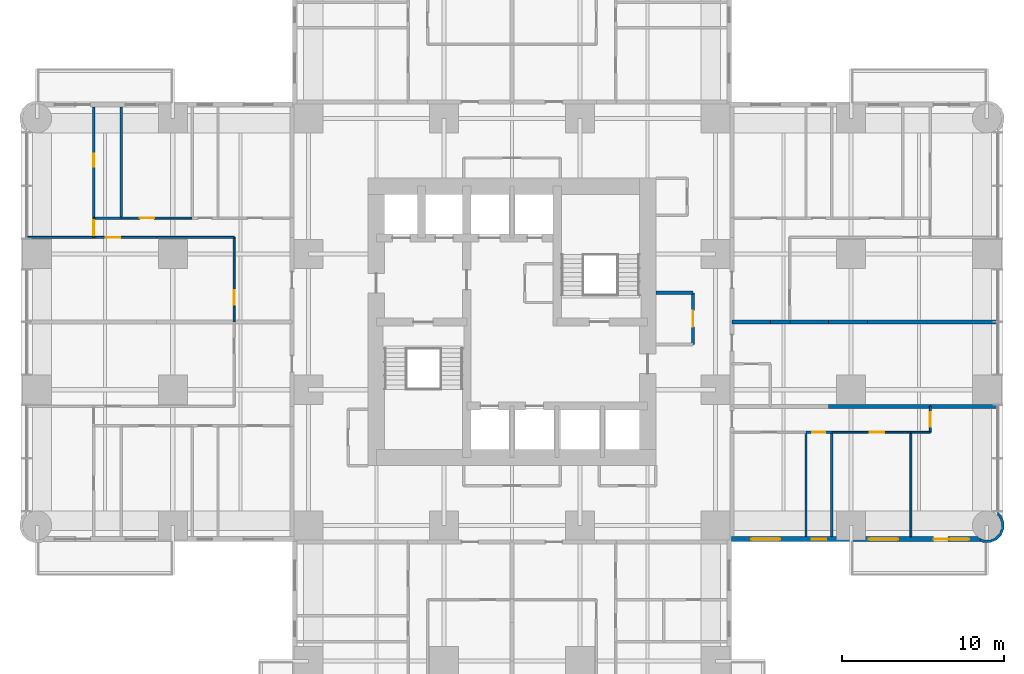
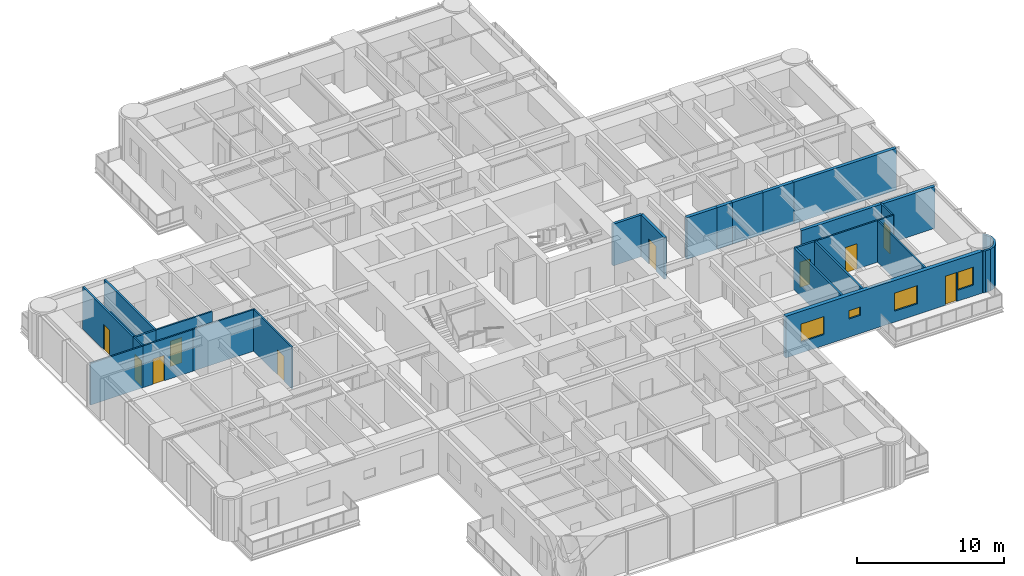
# One storey, part 11 of 17: 27 walls, 10 doors, 4 windows, 14 openings.
"""IFC4 building model written with IfcOpenShell, lengths in metres."""

from ifc_helpers import new_model, si_unit, direction, frame, frame_2d, origin, place, context, subcontext, project, spatial, polyline, rectangle, outline, extrude, material, layer, layer_set, type_object, element, fill, save


model = new_model("IFC4")

# Units and contexts
model_context = context("Model", 3, precision=1e-05, world=origin(), true_north=direction((0.0, 1.0)))
body_context = subcontext(model_context, "Body", "Model", "MODEL_VIEW")
ifc_project = project(units=[si_unit("LENGTHUNIT", "METRE"), si_unit("AREAUNIT", "SQUARE_METRE"), si_unit("VOLUMEUNIT", "CUBIC_METRE"), si_unit("PLANEANGLEUNIT", "RADIAN"), si_unit("MASSUNIT", "GRAM", prefix="KILO")], contexts=[model_context])

# Site, building, storey
site_placement = place(None, origin())
site = spatial("IfcSite", under=ifc_project, at=site_placement, CompositionType="ELEMENT")
building_placement = place(site_placement, origin())
building = spatial("IfcBuilding", under=site, at=building_placement, Name="Torre Alcanfor", CompositionType="ELEMENT")
storey_placement = place(building_placement, frame((0.0, 0.0, 59.699951171875)))
storey = spatial("IfcBuildingStorey", under=building, at=storey_placement, Name="L14", CompositionType="ELEMENT", Elevation=59.699951171875)

# Wall, opening, door
ifc_material_1 = material(Name="Gypsum board on steel studs", Category="steel")
ifc_layer_1 = layer(ifc_material_1, 0.1201171875)
ifc_layer_set_1 = layer_set([ifc_layer_1], Name="Apartment partition 120")
wall_type_1 = type_object("IfcWallType", Name="Apartment partition 120", PredefinedType="PARTITIONING", material=ifc_layer_set_1)
wall_1_placement = place(storey_placement, frame((54.10009765625, 22.571044921875, 0.0), z_axis=(0.0, 0.0, 1.0), x_axis=(-1.0, 0.0, 0.0)))
wall_1 = element("IfcWall", 1, at=wall_1_placement, inside=storey, type_object=wall_type_1, Name="Partition L14-E2B-HALL / L14-E2B-MASTER", PredefinedType="PARTITIONING", context=body_context, shape_type="SweptSolid", body=[
    extrude(rectangle(XDim=4.900146484375, YDim=0.1201171875, at=frame_2d((2.4501953125, 0.0))), origin(), (0.0, 0.0, 1.0), 3.449951171875),
])
opening_1_placement = place(wall_1_placement, frame((1.64990234375, 0.0, 0.0)))
opening_1 = element("IfcOpeningElement", 2, at=opening_1_placement, cuts=wall_1, Name="Opening D-R1", PredefinedType="OPENING", context=body_context, shape_type="SweptSolid", body=[
    extrude(rectangle(XDim=0.89990234375, YDim=2.10009765625, at=frame_2d((0.449951171875, 1.050048828125))), frame((0.0, 0.070068359375, 0.0), z_axis=(0.0, -1.0, 0.0), x_axis=(1.0, 0.0, 0.0)), (0.0, 0.0, 1.0), 0.14013671875),
])
ifc_material_2 = material(Name="Timber", Category="wood")
door_type_1 = type_object("IfcDoorType", Name="Internal door 900x2100", OperationType="SINGLE_SWING_LEFT", PredefinedType="DOOR", material=ifc_material_2)
door_1_placement = place(opening_1_placement, origin())
door_1 = element("IfcDoor", 3, at=door_1_placement, inside=storey, type_object=door_type_1, Name="Door L14-E2B master", OperationType="SINGLE_SWING_LEFT", OverallHeight=2.10009765625, OverallWidth=0.89990234375, PredefinedType="DOOR", context=body_context, shape_type="SweptSolid", body=[
    extrude(rectangle(XDim=0.89990234375, YDim=2.10009765625, at=frame_2d((0.449951171875, 1.050048828125))), frame((0.0, 0.02490234375, 0.0), z_axis=(0.0, -1.0, 0.0), x_axis=(1.0, 0.0, 0.0)), (0.0, 0.0, 1.0), 0.050048828125),
])
fill(opening_1, door_1)

# Wall
wall_2_placement = place(storey_placement, frame((55.300048828125, 22.571044921875, 0.0), z_axis=(0.0, 0.0, 1.0), x_axis=(-1.0, 0.0, 0.0)))
element("IfcWall", 4, at=wall_2_placement, inside=storey, type_object=wall_type_1, Name="Partition L14-E2B-HALL / L14-E2B-KITCHEN", PredefinedType="PARTITIONING", context=body_context, shape_type="SweptSolid", body=[
    extrude(rectangle(XDim=1.199951171875, YDim=0.1201171875, at=frame_2d((0.60009765625, 0.0))), origin(), (0.0, 0.0, 1.0), 3.449951171875),
])

# Wall, opening, door
wall_3_placement = place(storey_placement, frame((55.300048828125, 24.1708984375, 0.0), z_axis=(0.0, 0.0, 1.0), x_axis=(0.0, -1.0, 0.0)))
wall_3 = element("IfcWall", 5, at=wall_3_placement, inside=storey, type_object=wall_type_1, Name="Partition L14-E2B-HALL / L14-E2B-LIVING", PredefinedType="PARTITIONING", context=body_context, shape_type="SweptSolid", body=[
    extrude(rectangle(XDim=1.599853515625, YDim=0.1201171875, at=frame_2d((0.7998046875, 0.0))), origin(), (0.0, 0.0, 1.0), 3.449951171875),
])
opening_2_placement = place(wall_3_placement, frame((0.35009765625, 0.0, 0.0)))
opening_2 = element("IfcOpeningElement", 6, at=opening_2_placement, cuts=wall_3, Name="Opening D-R1", PredefinedType="OPENING", context=body_context, shape_type="SweptSolid", body=[
    extrude(rectangle(XDim=0.89990234375, YDim=2.10009765625, at=frame_2d((0.449951171875, 1.050048828125))), frame((0.0, 0.070068359375, 0.0), z_axis=(0.0, -1.0, 0.0), x_axis=(1.0, 0.0, 0.0)), (0.0, 0.0, 1.0), 0.14013671875),
])
door_2_placement = place(opening_2_placement, origin())
door_2 = element("IfcDoor", 7, at=door_2_placement, inside=storey, type_object=door_type_1, Name="Door L14-E2B living", OperationType="SINGLE_SWING_LEFT", OverallHeight=2.10009765625, OverallWidth=0.89990234375, PredefinedType="DOOR", context=body_context, shape_type="SweptSolid", body=[
    extrude(rectangle(XDim=0.89990234375, YDim=2.10009765625, at=frame_2d((0.449951171875, 1.050048828125))), frame((0.0, 0.02490234375, 0.0), z_axis=(0.0, -1.0, 0.0), x_axis=(1.0, 0.0, 0.0)), (0.0, 0.0, 1.0), 0.050048828125),
])
fill(opening_2, door_2)

# Wall
wall_4_placement = place(storey_placement, frame((54.10009765625, 22.571044921875, 0.0), z_axis=(0.0, 0.0, 1.0), x_axis=(0.0, -1.0, 0.0)))
element("IfcWall", 8, at=wall_4_placement, inside=storey, type_object=wall_type_1, Name="Partition L14-E2B-MASTER / L14-E2B-KITCHEN", PredefinedType="PARTITIONING", context=body_context, shape_type="SweptSolid", body=[
    extrude(rectangle(XDim=6.470947265625, YDim=0.1201171875, at=frame_2d((3.2353515625, 0.0))), origin(), (0.0, 0.0, 1.0), 3.449951171875),
])

# Wall, opening, door
wall_5_placement = place(storey_placement, frame((12.199951171875, 29.39990234375, 0.0), z_axis=(0.0, 0.0, 1.0), x_axis=(0.0, 1.0, 0.0)))
wall_5 = element("IfcWall", 9, at=wall_5_placement, inside=storey, type_object=wall_type_1, Name="Partition L14-W2-ZAG / L14-W2-KITCHEN", PredefinedType="PARTITIONING", context=body_context, shape_type="SweptSolid", body=[
    extrude(rectangle(XDim=5.22900390625, YDim=0.1201171875, at=frame_2d((2.614501953125, 0.0))), origin(), (0.0, 0.0, 1.0), 3.449951171875),
])
opening_3_placement = place(wall_5_placement, frame((1.050048828125, 0.0, 0.0)))
opening_3 = element("IfcOpeningElement", 10, at=opening_3_placement, cuts=wall_5, Name="Opening D-R1", PredefinedType="OPENING", context=body_context, shape_type="SweptSolid", body=[
    extrude(rectangle(XDim=0.89990234375, YDim=2.10009765625, at=frame_2d((0.449951171875, 1.050048828125))), frame((0.0, 0.070068359375, 0.0), z_axis=(0.0, -1.0, 0.0), x_axis=(1.0, 0.0, 0.0)), (0.0, 0.0, 1.0), 0.14013671875),
])
door_3_placement = place(opening_3_placement, origin())
door_3 = element("IfcDoor", 11, at=door_3_placement, inside=storey, type_object=door_type_1, Name="Door L14-W2 kitchen", OperationType="SINGLE_SWING_LEFT", OverallHeight=2.10009765625, OverallWidth=0.89990234375, PredefinedType="DOOR", context=body_context, shape_type="SweptSolid", body=[
    extrude(rectangle(XDim=0.89990234375, YDim=2.10009765625, at=frame_2d((0.449951171875, 1.050048828125))), frame((0.0, 0.02490234375, 0.0), z_axis=(0.0, -1.0, 0.0), x_axis=(1.0, 0.0, 0.0)), (0.0, 0.0, 1.0), 0.050048828125),
])
fill(opening_3, door_3)

# Wall
wall_6_placement = place(storey_placement, frame((7.39990234375, 34.62890625, 0.0), z_axis=(0.0, 0.0, 1.0), x_axis=(1.0, 0.0, 0.0)))
element("IfcWall", 12, at=wall_6_placement, inside=storey, type_object=wall_type_1, Name="Partition L14-W2-KITCHEN / L14-W2-HALL", PredefinedType="PARTITIONING", context=body_context, shape_type="SweptSolid", body=[
    extrude(rectangle(XDim=4.800048828125, YDim=0.1201171875, at=frame_2d((2.39990234375, 0.0))), origin(), (0.0, 0.0, 1.0), 3.449951171875),
])

# Wall, opening, door
wall_7_placement = place(storey_placement, frame((3.5, 34.62890625, 0.0), z_axis=(0.0, 0.0, 1.0), x_axis=(1.0, 0.0, 0.0)))
wall_7 = element("IfcWall", 13, at=wall_7_placement, inside=storey, type_object=wall_type_1, Name="Partition L14-W2-LIVING / L14-W2-HALL", PredefinedType="PARTITIONING", context=body_context, shape_type="SweptSolid", body=[
    extrude(rectangle(XDim=3.89990234375, YDim=0.1201171875, at=frame_2d((1.949951171875, 0.0))), origin(), (0.0, 0.0, 1.0), 3.449951171875),
])
opening_4_placement = place(wall_7_placement, frame((0.75, 0.0, 0.0)))
opening_4 = element("IfcOpeningElement", 14, at=opening_4_placement, cuts=wall_7, Name="Opening D-R1", PredefinedType="OPENING", context=body_context, shape_type="SweptSolid", body=[
    extrude(rectangle(XDim=0.89990234375, YDim=2.10009765625, at=frame_2d((0.449951171875, 1.050048828125))), frame((0.0, 0.070068359375, 0.0), z_axis=(0.0, -1.0, 0.0), x_axis=(1.0, 0.0, 0.0)), (0.0, 0.0, 1.0), 0.14013671875),
])
door_4_placement = place(opening_4_placement, frame((0.89990234375, 0.0, 0.0), z_axis=(0.0, 0.0, 1.0), x_axis=(-1.0, 0.0, 0.0)))
door_4 = element("IfcDoor", 15, at=door_4_placement, inside=storey, type_object=door_type_1, Name="Door L14-W2 living", OperationType="SINGLE_SWING_LEFT", OverallHeight=2.10009765625, OverallWidth=0.89990234375, PredefinedType="DOOR", context=body_context, shape_type="SweptSolid", body=[
    extrude(rectangle(XDim=0.89990234375, YDim=2.10009765625, at=frame_2d((0.449951171875, 1.050048828125))), frame((0.0, 0.025146484375, 0.0), z_axis=(0.0, -1.0, 0.0), x_axis=(1.0, 0.0, 0.0)), (0.0, 0.0, 1.0), 0.050048828125),
])
fill(opening_4, door_4)

# Wall
wall_8_placement = place(storey_placement, frame((-0.64990234375, 34.62890625, 0.0), z_axis=(0.0, 0.0, 1.0), x_axis=(1.0, 0.0, 0.0)))
element("IfcWall", 16, at=wall_8_placement, inside=storey, type_object=wall_type_1, Name="Partition L14-W2-LIVING / L14-W2-MASTER", PredefinedType="PARTITIONING", context=body_context, shape_type="SweptSolid", body=[
    extrude(rectangle(XDim=4.14990234375, YDim=0.1201171875, at=frame_2d((2.074951171875, 0.0))), origin(), (0.0, 0.0, 1.0), 3.449951171875),
])

# Wall, opening, door
wall_9_placement = place(storey_placement, frame((5.199951171875, 35.8291015625, 0.0), z_axis=(0.0, 0.0, 1.0), x_axis=(1.0, 0.0, 0.0)))
wall_9 = element("IfcWall", 17, at=wall_9_placement, inside=storey, type_object=wall_type_1, Name="Partition L14-W2-HALL / L14-W2-BED2", PredefinedType="PARTITIONING", context=body_context, shape_type="SweptSolid", body=[
    extrude(rectangle(XDim=4.400146484375, YDim=0.1201171875, at=frame_2d((2.2001953125, 0.0))), origin(), (0.0, 0.0, 1.0), 3.449951171875),
])
opening_5_placement = place(wall_9_placement, frame((1.14990234375, 0.0, 0.0)))
opening_5 = element("IfcOpeningElement", 18, at=opening_5_placement, cuts=wall_9, Name="Opening D-R1", PredefinedType="OPENING", context=body_context, shape_type="SweptSolid", body=[
    extrude(rectangle(XDim=0.89990234375, YDim=2.10009765625, at=frame_2d((0.449951171875, 1.050048828125))), frame((0.0, 0.070068359375, 0.0), z_axis=(0.0, -1.0, 0.0), x_axis=(1.0, 0.0, 0.0)), (0.0, 0.0, 1.0), 0.14013671875),
])
door_5_placement = place(opening_5_placement, origin())
door_5 = element("IfcDoor", 19, at=door_5_placement, inside=storey, type_object=door_type_1, Name="Door L14-W2 bed2", OperationType="SINGLE_SWING_LEFT", OverallHeight=2.10009765625, OverallWidth=0.89990234375, PredefinedType="DOOR", context=body_context, shape_type="SweptSolid", body=[
    extrude(rectangle(XDim=0.89990234375, YDim=2.10009765625, at=frame_2d((0.449951171875, 1.050048828125))), frame((0.0, 0.02490234375, 0.0), z_axis=(0.0, -1.0, 0.0), x_axis=(1.0, 0.0, 0.0)), (0.0, 0.0, 1.0), 0.050048828125),
])
fill(opening_5, door_5)

wall_10_placement = place(storey_placement, frame((3.5, 34.62890625, 0.0), z_axis=(0.0, 0.0, 1.0), x_axis=(0.0, 1.0, 0.0)))
wall_10 = element("IfcWall", 20, at=wall_10_placement, inside=storey, type_object=wall_type_1, Name="Partition L14-W2-HALL / L14-W2-MASTER", PredefinedType="PARTITIONING", context=body_context, shape_type="SweptSolid", body=[
    extrude(rectangle(XDim=1.2001953125, YDim=0.1201171875, at=frame_2d((0.60009765625, 0.0))), origin(), (0.0, 0.0, 1.0), 3.449951171875),
])
opening_6_placement = place(wall_10_placement, frame((0.15087890625, 0.0, 0.0)))
opening_6 = element("IfcOpeningElement", 21, at=opening_6_placement, cuts=wall_10, Name="Opening D-R1", PredefinedType="OPENING", context=body_context, shape_type="SweptSolid", body=[
    extrude(rectangle(XDim=0.89990234375, YDim=2.10009765625, at=frame_2d((0.449951171875, 1.050048828125))), frame((0.0, 0.070068359375, 0.0), z_axis=(0.0, -1.0, 0.0), x_axis=(1.0, 0.0, 0.0)), (0.0, 0.0, 1.0), 0.14013671875),
])
door_6_placement = place(opening_6_placement, origin())
door_6 = element("IfcDoor", 22, at=door_6_placement, inside=storey, type_object=door_type_1, Name="Door L14-W2 master", OperationType="SINGLE_SWING_LEFT", OverallHeight=2.10009765625, OverallWidth=0.89990234375, PredefinedType="DOOR", context=body_context, shape_type="SweptSolid", body=[
    extrude(rectangle(XDim=0.89990234375, YDim=2.10009765625, at=frame_2d((0.449951171875, 1.050048828125))), frame((0.0, 0.02490234375, 0.0), z_axis=(0.0, -1.0, 0.0), x_axis=(1.0, 0.0, 0.0)), (0.0, 0.0, 1.0), 0.050048828125),
])
fill(opening_6, door_6)

# Wall, openings, door, windows
ifc_material_3 = material(Name="Limestone cladding", Category="masonry")
ifc_layer_2 = layer(ifc_material_3, 0.0400390625, Name="Facing")
ifc_material_4 = material(Name="Ventilated air cavity")
ifc_layer_3 = layer(ifc_material_4, 0.02001953125, ventilated=True, Name="Ventilated joint")
ifc_material_5 = material(Name="Mineral wool insulation", Category="insulation")
ifc_layer_4 = layer(ifc_material_5, 0.10009765625, Name="Insulation")
ifc_material_6 = material(Name="Concrete f'c 35 MPa", Category="concrete")
ifc_layer_5 = layer(ifc_material_6, 0.139892578125, Name="Backing")
ifc_layer_set_2 = layer_set([ifc_layer_2, ifc_layer_3, ifc_layer_4, ifc_layer_5], Name="External wall stone-clad 300")
wall_type_2 = type_object("IfcWallType", Name="External wall stone-clad 300", PredefinedType="SOLIDWALL", material=ifc_layer_set_2)
wall_11_placement = place(storey_placement, frame((43.0, 15.949951171875, 0.0), z_axis=(0.0, 0.0, 1.0), x_axis=(1.0, 0.0, 0.0)))
wall_11 = element("IfcWall", 23, at=wall_11_placement, inside=storey, type_object=wall_type_2, Name="External wall L14 7", PredefinedType="SOLIDWALL", context=body_context, shape_type="SweptSolid", body=[
    extrude(rectangle(XDim=15.39990234375, YDim=0.300048828125, at=frame_2d((7.699951171875, 0.0))), origin(), (0.0, 0.0, 1.0), 3.449951171875),
])
opening_7_placement = place(wall_11_placement, frame((1.199951171875, 0.0, 0.89990234375)))
opening_7 = element("IfcOpeningElement", 24, at=opening_7_placement, cuts=wall_11, Name="Opening W2", PredefinedType="OPENING", context=body_context, shape_type="SweptSolid", body=[
    extrude(rectangle(XDim=1.800048828125, YDim=1.5, at=frame_2d((0.89990234375, 0.75))), frame((0.0, 0.159912109375, 0.0), z_axis=(0.0, -1.0, 0.0), x_axis=(1.0, 0.0, 0.0)), (0.0, 0.0, 1.0), 0.320068359375),
])
opening_8_placement = place(wall_11_placement, frame((4.949951171875, 0.0, 1.5)))
opening_8 = element("IfcOpeningElement", 25, at=opening_8_placement, cuts=wall_11, Name="Opening W3", PredefinedType="OPENING", context=body_context, shape_type="SweptSolid", body=[
    extrude(rectangle(XDim=0.89990234375, YDim=0.699951171875, at=frame_2d((0.449951171875, 0.35009765625))), frame((0.0, 0.159912109375, 0.0), z_axis=(0.0, -1.0, 0.0), x_axis=(1.0, 0.0, 0.0)), (0.0, 0.0, 1.0), 0.320068359375),
])
opening_9_placement = place(wall_11_placement, frame((8.5, 0.0, 0.89990234375)))
opening_9 = element("IfcOpeningElement", 26, at=opening_9_placement, cuts=wall_11, Name="Opening W2", PredefinedType="OPENING", context=body_context, shape_type="SweptSolid", body=[
    extrude(rectangle(XDim=1.800048828125, YDim=1.5, at=frame_2d((0.89990234375, 0.75))), frame((0.0, 0.159912109375, 0.0), z_axis=(0.0, -1.0, 0.0), x_axis=(1.0, 0.0, 0.0)), (0.0, 0.0, 1.0), 0.320068359375),
])
opening_10_placement = place(wall_11_placement, frame((12.5, 0.0, 0.0)))
opening_10 = element("IfcOpeningElement", 27, at=opening_10_placement, cuts=wall_11, Name="Opening D-B1", PredefinedType="OPENING", context=body_context, shape_type="SweptSolid", body=[
    extrude(rectangle(XDim=0.89990234375, YDim=2.39990234375, at=frame_2d((0.449951171875, 1.199951171875))), frame((0.0, 0.159912109375, 0.0), z_axis=(0.0, -1.0, 0.0), x_axis=(1.0, 0.0, 0.0)), (0.0, 0.0, 1.0), 0.320068359375),
])
opening_11_placement = place(wall_11_placement, frame((13.5, 0.0, 0.89990234375)))
opening_11 = element("IfcOpeningElement", 28, at=opening_11_placement, cuts=wall_11, Name="Opening W4", PredefinedType="OPENING", context=body_context, shape_type="SweptSolid", body=[
    extrude(rectangle(XDim=1.199951171875, YDim=1.5, at=frame_2d((0.60009765625, 0.75))), frame((0.0, 0.159912109375, 0.0), z_axis=(0.0, -1.0, 0.0), x_axis=(1.0, 0.0, 0.0)), (0.0, 0.0, 1.0), 0.320068359375),
])
ifc_material_7 = material(Name="Aluminium and glass", Category="aluminium")
door_type_2 = type_object("IfcDoorType", Name="Balcony door glazed 900x2400", OperationType="SINGLE_SWING_LEFT", PredefinedType="DOOR", material=ifc_material_7)
door_7_placement = place(opening_10_placement, origin())
door_7 = element("IfcDoor", 29, at=door_7_placement, inside=storey, type_object=door_type_2, Name="Balcony door L14-E2", OperationType="SINGLE_SWING_LEFT", OverallHeight=2.39990234375, OverallWidth=0.89990234375, PredefinedType="DOOR", context=body_context, shape_type="SweptSolid", body=[
    extrude(rectangle(XDim=0.89990234375, YDim=2.39990234375, at=frame_2d((0.449951171875, 1.199951171875))), frame((0.0, 0.02490234375, 0.0), z_axis=(0.0, -1.0, 0.0), x_axis=(1.0, 0.0, 0.0)), (0.0, 0.0, 1.0), 0.050048828125),
])
fill(opening_10, door_7)
ifc_material_8 = material(Name="Aluminium frame with clear double glazing", Category="aluminium")
window_type_1 = type_object("IfcWindowType", Name="Window bathroom 900x700", PartitioningType="SINGLE_PANEL", PredefinedType="WINDOW", material=ifc_material_8)
window_1_placement = place(opening_8_placement, origin())
window_1 = element("IfcWindow", 30, at=window_1_placement, inside=storey, type_object=window_type_1, Name="Window W3 L14-E2", OverallHeight=0.699951171875, OverallWidth=0.89990234375, PartitioningType="SINGLE_PANEL", PredefinedType="WINDOW", context=body_context, shape_type="SweptSolid", body=[
    extrude(rectangle(XDim=0.89990234375, YDim=0.699951171875, at=frame_2d((0.449951171875, 0.35009765625))), frame((0.0, 0.030029296875, 0.0), z_axis=(0.0, -1.0, 0.0), x_axis=(1.0, 0.0, 0.0)), (0.0, 0.0, 1.0), 0.06005859375),
])
fill(opening_8, window_1)
ifc_material_9 = material(Name="Aluminium frame with clear double glazing", Category="aluminium")
window_type_2 = type_object("IfcWindowType", Name="Window bedroom 1200x1500", PartitioningType="SINGLE_PANEL", PredefinedType="WINDOW", material=ifc_material_9)
window_2_placement = place(opening_11_placement, origin())
window_2 = element("IfcWindow", 31, at=window_2_placement, inside=storey, type_object=window_type_2, Name="Window W4 L14-E2", OverallHeight=1.5, OverallWidth=1.199951171875, PartitioningType="SINGLE_PANEL", PredefinedType="WINDOW", context=body_context, shape_type="SweptSolid", body=[
    extrude(rectangle(XDim=1.199951171875, YDim=1.5, at=frame_2d((0.60009765625, 0.75))), frame((0.0, 0.030029296875, 0.0), z_axis=(0.0, -1.0, 0.0), x_axis=(1.0, 0.0, 0.0)), (0.0, 0.0, 1.0), 0.06005859375),
])
fill(opening_11, window_2)
ifc_material_10 = material(Name="Aluminium frame with clear double glazing", Category="aluminium")
window_type_3 = type_object("IfcWindowType", Name="Window bedroom 1800x1500", PartitioningType="SINGLE_PANEL", PredefinedType="WINDOW", material=ifc_material_10)
window_3_placement = place(opening_7_placement, origin())
window_3 = element("IfcWindow", 32, at=window_3_placement, inside=storey, type_object=window_type_3, Name="Window W2 L14-E2", OverallHeight=1.5, OverallWidth=1.800048828125, PartitioningType="SINGLE_PANEL", PredefinedType="WINDOW", context=body_context, shape_type="SweptSolid", body=[
    extrude(rectangle(XDim=1.800048828125, YDim=1.5, at=frame_2d((0.89990234375, 0.75))), frame((0.0, 0.030029296875, 0.0), z_axis=(0.0, -1.0, 0.0), x_axis=(1.0, 0.0, 0.0)), (0.0, 0.0, 1.0), 0.06005859375),
])
fill(opening_7, window_3)
window_4_placement = place(opening_9_placement, origin())
window_4 = element("IfcWindow", 33, at=window_4_placement, inside=storey, type_object=window_type_3, Name="Window W2 L14-E2", OverallHeight=1.5, OverallWidth=1.800048828125, PartitioningType="SINGLE_PANEL", PredefinedType="WINDOW", context=body_context, shape_type="SweptSolid", body=[
    extrude(rectangle(XDim=1.800048828125, YDim=1.5, at=frame_2d((0.89990234375, 0.75))), frame((0.0, 0.030029296875, 0.0), z_axis=(0.0, -1.0, 0.0), x_axis=(1.0, 0.0, 0.0)), (0.0, 0.0, 1.0), 0.06005859375),
])
fill(opening_9, window_4)

# Walls
ifc_material_11 = material(Name="Concrete block masonry, hollow blocks NMX-C-404 9 MPa", Category="masonry")
ifc_layer_6 = layer(ifc_material_11, 0.25)
ifc_layer_set_3 = layer_set([ifc_layer_6], Name="Party wall 250 EI 60")
wall_type_3 = type_object("IfcWallType", Name="Party wall 250 EI 60", PredefinedType="PARTITIONING", material=ifc_layer_set_3)
wall_12_placement = place(storey_placement, frame((43.02490234375, 29.39990234375, 0.0), z_axis=(0.0, 0.0, 1.0), x_axis=(1.0, 0.0, 0.0)))
element("IfcWall", 34, at=wall_12_placement, inside=storey, type_object=wall_type_3, Name="Partition L14-E1-ZAG / L14-E2A-FOYER", PredefinedType="PARTITIONING", context=body_context, shape_type="SweptSolid", body=[
    extrude(rectangle(XDim=2.375, YDim=0.25, at=frame_2d((1.1875, 0.0))), origin(), (0.0, 0.0, 1.0), 3.449951171875),
])
wall_13_placement = place(storey_placement, frame((45.39990234375, 29.39990234375, 0.0), z_axis=(0.0, 0.0, 1.0), x_axis=(1.0, 0.0, 0.0)))
element("IfcWall", 35, at=wall_13_placement, inside=storey, type_object=wall_type_3, Name="Partition L14-E1-ZAG / L14-E2A-KITCHEN", PredefinedType="PARTITIONING", context=body_context, shape_type="SweptSolid", body=[
    extrude(rectangle(XDim=1.2001953125, YDim=0.25, at=frame_2d((0.60009765625, 0.0))), origin(), (0.0, 0.0, 1.0), 3.449951171875),
])
for number, where, z_axis, x_axis, name in (
    (36, (46.60009765625, 29.39990234375, 0.0), (0.0, 0.0, 1.0), (1.0, 0.0, 0.0), "Partition L14-E1-KITCHEN / L14-E2A-KITCHEN"),
    (37, (49.0, 29.39990234375, 0.0), (0.0, 0.0, 1.0), (1.0, 0.0, 0.0), "Partition L14-E1-KITCHEN / L14-E2A-STUDIO"),
):
    element("IfcWall", number, at=place(storey_placement, frame(where, z_axis=z_axis, x_axis=x_axis)), inside=storey, type_object=wall_type_3, Name=name, PredefinedType="PARTITIONING", context=body_context, shape_type="SweptSolid", body=[
        extrude(rectangle(XDim=2.39990234375, YDim=0.25, at=frame_2d((1.199951171875, 0.0))), origin(), (0.0, 0.0, 1.0), 3.449951171875),
    ])
wall_14_placement = place(storey_placement, frame((51.39990234375, 29.39990234375, 0.0), z_axis=(0.0, 0.0, 1.0), x_axis=(1.0, 0.0, 0.0)))
element("IfcWall", 38, at=wall_14_placement, inside=storey, type_object=wall_type_3, Name="Partition L14-E1-LIVING / L14-E2A-STUDIO", PredefinedType="PARTITIONING", context=body_context, shape_type="SweptSolid", body=[
    extrude(rectangle(XDim=8.050048828125, YDim=0.25, at=frame_2d((4.02490234375, 0.0))), origin(), (0.0, 0.0, 1.0), 3.449951171875),
])
wall_15_placement = place(storey_placement, frame((55.300048828125, 24.1708984375, 0.0), z_axis=(0.0, 0.0, 1.0), x_axis=(-1.0, 0.0, 0.0)))
element("IfcWall", 39, at=wall_15_placement, inside=storey, type_object=wall_type_3, Name="Partition L14-E2A-STUDIO / L14-E2B-HALL", PredefinedType="PARTITIONING", context=body_context, shape_type="SweptSolid", body=[
    extrude(rectangle(XDim=6.300048828125, YDim=0.25, at=frame_2d((3.14990234375, 0.0))), origin(), (0.0, 0.0, 1.0), 3.449951171875),
])
wall_16_placement = place(storey_placement, frame((59.449951171875, 24.1708984375, 0.0), z_axis=(0.0, 0.0, 1.0), x_axis=(-1.0, 0.0, 0.0)))
element("IfcWall", 40, at=wall_16_placement, inside=storey, type_object=wall_type_3, Name="Partition L14-E2A-STUDIO / L14-E2B-LIVING", PredefinedType="PARTITIONING", context=body_context, shape_type="SweptSolid", body=[
    extrude(rectangle(XDim=4.14990234375, YDim=0.25, at=frame_2d((2.074951171875, 0.0))), origin(), (0.0, 0.0, 1.0), 3.449951171875),
])

# Wall, opening, door
ifc_material_12 = material(Name="Concrete block masonry, hollow blocks NMX-C-404 9 MPa", Category="masonry")
ifc_layer_7 = layer(ifc_material_12, 0.199951171875)
ifc_layer_set_4 = layer_set([ifc_layer_7], Name="Plant room wall 200 EI 60")
wall_type_4 = type_object("IfcWallType", Name="Plant room wall 200 EI 60", PredefinedType="PARTITIONING", material=ifc_layer_set_4)
wall_17_placement = place(storey_placement, frame((40.60009765625, 28.0, 0.0), z_axis=(0.0, 0.0, 1.0), x_axis=(0.0, 1.0, 0.0)))
wall_17 = element("IfcWall", 41, at=wall_17_placement, inside=storey, type_object=wall_type_4, Name="Partition L14-CORR / L14-G02", PredefinedType="PARTITIONING", context=body_context, shape_type="SweptSolid", body=[
    extrude(rectangle(XDim=3.199951171875, YDim=0.199951171875, at=frame_2d((1.60009765625, 0.0))), origin(), (0.0, 0.0, 1.0), 3.449951171875),
])
opening_12_placement = place(wall_17_placement, frame((1.10009765625, 0.0, 0.0)))
opening_12 = element("IfcOpeningElement", 42, at=opening_12_placement, cuts=wall_17, Name="Opening D-K1", PredefinedType="OPENING", context=body_context, shape_type="SweptSolid", body=[
    extrude(rectangle(XDim=1.0, YDim=2.10009765625, at=frame_2d((0.5, 1.050048828125))), frame((0.0, 0.10986328125, 0.0), z_axis=(0.0, -1.0, 0.0), x_axis=(1.0, 0.0, 0.0)), (0.0, 0.0, 1.0), 0.219970703125),
])
ifc_material_13 = material(Name="Galvanised steel sheet ASTM A653", Category="steel")
door_type_3 = type_object("IfcDoorType", Name="Core room door FD60 1000x2100", OperationType="SINGLE_SWING_LEFT", PredefinedType="DOOR", material=ifc_material_13)
door_8_placement = place(opening_12_placement, origin())
door_8 = element("IfcDoor", 43, at=door_8_placement, inside=storey, type_object=door_type_3, Name="Door L14-G02 refuse and recycling store", OperationType="SINGLE_SWING_LEFT", OverallHeight=2.10009765625, OverallWidth=1.0, PredefinedType="DOOR", context=body_context, shape_type="SweptSolid", body=[
    extrude(rectangle(XDim=1.0, YDim=2.10009765625, at=frame_2d((0.5, 1.050048828125))), frame((0.0, 0.02490234375, 0.0), z_axis=(0.0, -1.0, 0.0), x_axis=(1.0, 0.0, 0.0)), (0.0, 0.0, 1.0), 0.050048828125),
])
fill(opening_12, door_8)

# Walls
wall_18_placement = place(storey_placement, frame((40.60009765625, 31.199951171875, 0.0), z_axis=(0.0, 0.0, 1.0), x_axis=(-1.0, 0.0, 0.0)))
element("IfcWall", 44, at=wall_18_placement, inside=storey, type_object=wall_type_4, Name="Partition L14-CORR / L14-G02", PredefinedType="PARTITIONING", context=body_context, shape_type="SweptSolid", body=[
    extrude(rectangle(XDim=2.300048828125, YDim=0.199951171875, at=frame_2d((1.14990234375, 0.0))), origin(), (0.0, 0.0, 1.0), 3.449951171875),
])
ifc_layer_8 = layer(ifc_material_3, 0.0400390625, Name="Facing")
ifc_layer_9 = layer(ifc_material_4, 0.02001953125, ventilated=True, Name="Ventilated joint")
ifc_layer_10 = layer(ifc_material_5, 0.10009765625, Name="Insulation")
ifc_layer_11 = layer(ifc_material_6, 0.139892578125, Name="Backing")
ifc_layer_set_5 = layer_set([ifc_layer_8, ifc_layer_9, ifc_layer_10, ifc_layer_11], Name="Rounded corner pier stone-clad 300")
wall_type_5 = type_object("IfcWallType", Name="Rounded corner pier stone-clad 300", PredefinedType="SOLIDWALL", material=ifc_layer_set_5)
wall_19_placement = place(storey_placement, frame((58.436037137, 15.890092843, 0.0), z_axis=(0.0, 0.0, 1.0), x_axis=(0.926129809145, -0.377204953059, 0.0)))
element("IfcWall", 45, at=wall_19_placement, inside=storey, type_object=wall_type_5, Name="Corner pier L14 17", PredefinedType="SOLIDWALL", context=body_context, shape_type="SweptSolid", body=[
    extrude(outline(polyline([(0.769166837716128, 1.7276108100514604), (0.7500653632983351, 1.7227306908268178), (0.5995000244675756, 1.8749338844742405), (0.2945752424497483, 2.003546223814982), (0.2810088878235957, 1.9980207606354041), (0.36029928445054193, 1.803343571750114), (0.5086711604613772, 1.740666542271283), (0.7606181499848057, 1.4858220995022824), (0.8958078157784841, 1.153898622982415), (0.8937038530249802, 0.7953177307388815), (0.7545964309992416, 0.4650292826997394), (0.49975198823024103, 0.21308229317631072), (0.16782851171037358, 0.07789262738263233), (-0.0998950178182167, 0.07956887308382314), (0.0004995392280573718, -0.09702266930253471), (0.03004451591433495, -0.08024419760165923), (0.19838601885213236, -0.08127415720020953), (0.5888709261748919, 0.07776709131864781), (0.888863773202199, 0.37420041869354087), (1.0524038230869968, 0.7629450169505976), (1.0552007062717619, 1.1845482211771667), (0.8961594577529046, 1.5750331284999262), (0.777713405588319, 1.694976661367872), (0.769166837716128, 1.7276108100514604)])), origin(), (0.0, 0.0, 1.0), 3.449951171875),
])

# Wall, opening, door
ifc_material_14 = material(Name="Cement board on steel studs", Category="steel")
ifc_layer_12 = layer(ifc_material_14, 0.14990234375)
ifc_layer_set_6 = layer_set([ifc_layer_12], Name="Wet area partition 150")
wall_type_6 = type_object("IfcWallType", Name="Wet area partition 150", PredefinedType="PARTITIONING", material=ifc_layer_set_6)
wall_20_placement = place(storey_placement, frame((49.199951171875, 22.571044921875, 0.0), z_axis=(0.0, 0.0, 1.0), x_axis=(-1.0, 0.0, 0.0)))
wall_20 = element("IfcWall", 46, at=wall_20_placement, inside=storey, type_object=wall_type_6, Name="Partition L14-E2B-HALL / L14-E2B-BATH", PredefinedType="PARTITIONING", context=body_context, shape_type="SweptSolid", body=[
    extrude(rectangle(XDim=1.599853515625, YDim=0.14990234375, at=frame_2d((0.7998046875, 0.0))), origin(), (0.0, 0.0, 1.0), 3.449951171875),
])
opening_13_placement = place(wall_20_placement, frame((0.39990234375, 0.0, 0.0)))
opening_13 = element("IfcOpeningElement", 47, at=opening_13_placement, cuts=wall_20, Name="Opening D-R2", PredefinedType="OPENING", context=body_context, shape_type="SweptSolid", body=[
    extrude(rectangle(XDim=0.800048828125, YDim=2.10009765625, at=frame_2d((0.39990234375, 1.050048828125))), frame((0.0, 0.0849609375, 0.0), z_axis=(0.0, -1.0, 0.0), x_axis=(1.0, 0.0, 0.0)), (0.0, 0.0, 1.0), 0.169921875),
])
ifc_material_15 = material(Name="Timber", Category="wood")
door_type_4 = type_object("IfcDoorType", Name="Bathroom door 800x2100", OperationType="SINGLE_SWING_LEFT", PredefinedType="DOOR", material=ifc_material_15)
door_9_placement = place(opening_13_placement, origin())
door_9 = element("IfcDoor", 48, at=door_9_placement, inside=storey, type_object=door_type_4, Name="Door L14-E2B bath", OperationType="SINGLE_SWING_LEFT", OverallHeight=2.10009765625, OverallWidth=0.800048828125, PredefinedType="DOOR", context=body_context, shape_type="SweptSolid", body=[
    extrude(rectangle(XDim=0.800048828125, YDim=2.10009765625, at=frame_2d((0.39990234375, 1.050048828125))), frame((0.0, 0.02490234375, 0.0), z_axis=(0.0, -1.0, 0.0), x_axis=(1.0, 0.0, 0.0)), (0.0, 0.0, 1.0), 0.050048828125),
])
fill(opening_13, door_9)

# Walls
for number, where, z_axis, x_axis, name in (
    (49, (47.60009765625, 22.571044921875, 0.0), (0.0, 0.0, 1.0), (0.0, -1.0, 0.0), "Partition L14-E2B-BED2 / L14-E2B-BATH"),
    (50, (49.199951171875, 22.571044921875, 0.0), (0.0, 0.0, 1.0), (0.0, -1.0, 0.0), "Partition L14-E2B-BATH / L14-E2B-MASTER"),
):
    element("IfcWall", number, at=place(storey_placement, frame(where, z_axis=z_axis, x_axis=x_axis)), inside=storey, type_object=wall_type_6, Name=name, PredefinedType="PARTITIONING", context=body_context, shape_type="SweptSolid", body=[
        extrude(rectangle(XDim=6.470947265625, YDim=0.14990234375, at=frame_2d((3.2353515625, 0.0))), origin(), (0.0, 0.0, 1.0), 3.449951171875),
    ])
wall_21_placement = place(storey_placement, frame((3.5, 35.8291015625, 0.0), z_axis=(0.0, 0.0, 1.0), x_axis=(1.0, 0.0, 0.0)))
element("IfcWall", 51, at=wall_21_placement, inside=storey, type_object=wall_type_6, Name="Partition L14-W2-HALL / L14-W2-ENSBATH", PredefinedType="PARTITIONING", context=body_context, shape_type="SweptSolid", body=[
    extrude(rectangle(XDim=1.699951171875, YDim=0.14990234375, at=frame_2d((0.85009765625, 0.0))), origin(), (0.0, 0.0, 1.0), 3.449951171875),
])
wall_22_placement = place(storey_placement, frame((5.199951171875, 35.8291015625, 0.0), z_axis=(0.0, 0.0, 1.0), x_axis=(0.0, 1.0, 0.0)))
element("IfcWall", 52, at=wall_22_placement, inside=storey, type_object=wall_type_6, Name="Partition L14-W2-BED2 / L14-W2-ENSBATH", PredefinedType="PARTITIONING", context=body_context, shape_type="SweptSolid", body=[
    extrude(rectangle(XDim=6.870849609375, YDim=0.14990234375, at=frame_2d((3.435546875, 0.0))), origin(), (0.0, 0.0, 1.0), 3.449951171875),
])

# Wall, opening, door
wall_23_placement = place(storey_placement, frame((3.5, 35.8291015625, 0.0), z_axis=(0.0, 0.0, 1.0), x_axis=(0.0, 1.0, 0.0)))
wall_23 = element("IfcWall", 53, at=wall_23_placement, inside=storey, type_object=wall_type_6, Name="Partition L14-W2-ENSBATH / L14-W2-MASTER", PredefinedType="PARTITIONING", context=body_context, shape_type="SweptSolid", body=[
    extrude(rectangle(XDim=6.870849609375, YDim=0.14990234375, at=frame_2d((3.435546875, 0.0))), origin(), (0.0, 0.0, 1.0), 3.449951171875),
])
opening_14_placement = place(wall_23_placement, frame((3.1708984375, 0.0, 0.0)))
opening_14 = element("IfcOpeningElement", 54, at=opening_14_placement, cuts=wall_23, Name="Opening D-R2", PredefinedType="OPENING", context=body_context, shape_type="SweptSolid", body=[
    extrude(rectangle(XDim=0.800048828125, YDim=2.10009765625, at=frame_2d((0.39990234375, 1.050048828125))), frame((0.0, 0.0849609375, 0.0), z_axis=(0.0, -1.0, 0.0), x_axis=(1.0, 0.0, 0.0)), (0.0, 0.0, 1.0), 0.169921875),
])
door_10_placement = place(opening_14_placement, frame((0.800048828125, 0.0, 0.0), z_axis=(0.0, 0.0, 1.0), x_axis=(-1.0, 0.0, 0.0)))
door_10 = element("IfcDoor", 55, at=door_10_placement, inside=storey, type_object=door_type_4, Name="Door L14-W2 ensbath", OperationType="SINGLE_SWING_LEFT", OverallHeight=2.10009765625, OverallWidth=0.800048828125, PredefinedType="DOOR", context=body_context, shape_type="SweptSolid", body=[
    extrude(rectangle(XDim=0.800048828125, YDim=2.10009765625, at=frame_2d((0.400146484375, 1.050048828125))), frame((0.0, 0.025146484375, 0.0), z_axis=(0.0, -1.0, 0.0), x_axis=(1.0, 0.0, 0.0)), (0.0, 0.0, 1.0), 0.050048828125),
])
fill(opening_14, door_10)

save(model, "model.ifc")
